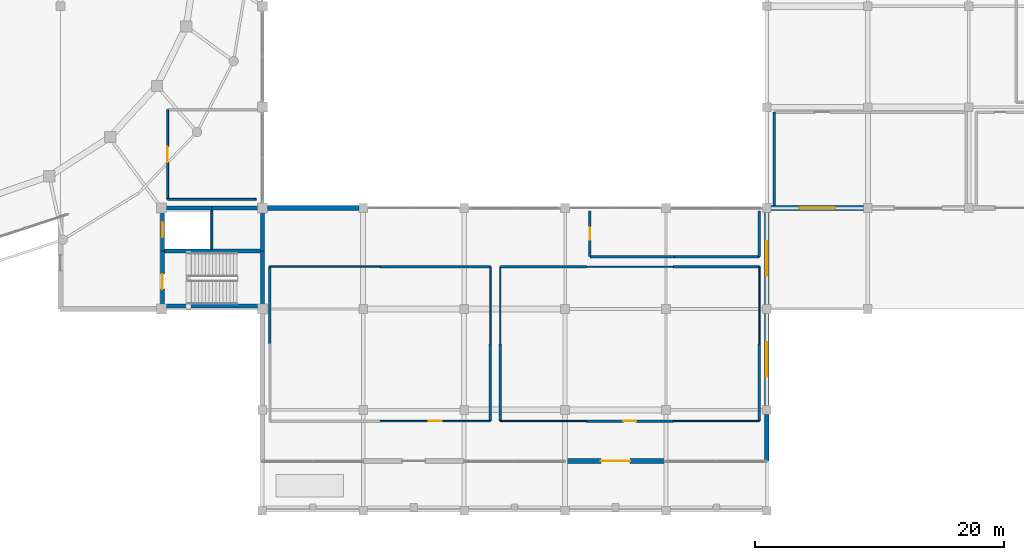
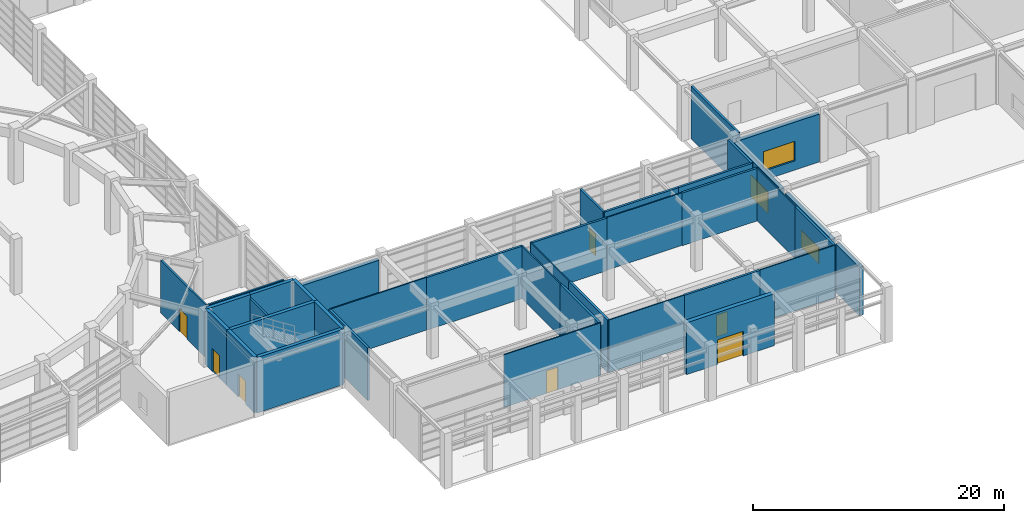
# One storey, part 36 of 52: 38 walls, 7 doors, 3 windows, 10 openings.
"""IFC4 building model written with IfcOpenShell, lengths in metres."""

from ifc_helpers import new_model, si_unit, direction, frame, frame_2d, origin, place, context, subcontext, project, spatial, rectangle, extrude, material, layer, layer_set, type_object, element, fill, save


model = new_model("IFC4")

# Units and contexts
model_context = context("Model", 3, precision=1e-05, world=origin(), true_north=direction((0.0, 1.0)))
body_context = subcontext(model_context, "Body", "Model", "MODEL_VIEW")
ifc_project = project(units=[si_unit("LENGTHUNIT", "METRE"), si_unit("AREAUNIT", "SQUARE_METRE"), si_unit("VOLUMEUNIT", "CUBIC_METRE"), si_unit("PLANEANGLEUNIT", "RADIAN"), si_unit("MASSUNIT", "GRAM", prefix="KILO")], contexts=[model_context])

# Site, building, storey
site_placement = place(None, origin())
site = spatial("IfcSite", under=ifc_project, at=site_placement, CompositionType="ELEMENT")
building_placement = place(site_placement, origin())
building = spatial("IfcBuilding", under=site, at=building_placement, Name="Parian Resonance Hall", CompositionType="ELEMENT")
storey_placement = place(building_placement, origin())
storey = spatial("IfcBuildingStorey", under=building, at=storey_placement, Name="L00", CompositionType="ELEMENT", Elevation=0.0)

# Wall, opening, door
ifc_material_1 = material(Name="Concrete C40/50", Category="concrete")
ifc_layer_1 = layer(ifc_material_1, 0.31005859375)
ifc_layer_set_1 = layer_set([ifc_layer_1], Name="Concrete C40/50")
wall_type_1 = type_object("IfcWallType", Name="CW310", PredefinedType="SHEAR", material=ifc_layer_set_1)
wall_1_placement = place(storey_placement, frame((64.889892578125, 16.449951171875, 0.0), z_axis=(0.0, 0.0, 1.0), x_axis=(0.0, 1.0, 0.0)))
wall_1 = element("IfcWall", 1, at=wall_1_placement, inside=storey, type_object=wall_type_1, Name="Core K3 stairwell west shear wall L00", PredefinedType="SHEAR", context=body_context, shape_type="SweptSolid", body=[
    extrude(rectangle(XDim=4.400146484375, YDim=0.31005859375, at=frame_2d((2.2001953125, 0.0))), origin(), (0.0, 0.0, 1.0), 5.39990234375),
])
opening_1_placement = place(wall_1_placement, frame((1.35009765625, 0.0, 0.0)))
opening_1 = element("IfcOpeningElement", 2, at=opening_1_placement, cuts=wall_1, Name="Opening FD-01", PredefinedType="OPENING", context=body_context, shape_type="SweptSolid", body=[
    extrude(rectangle(XDim=1.199951171875, YDim=2.25, at=frame_2d((0.60009765625, 1.125))), frame((0.0, 0.1650390625, 0.0), z_axis=(0.0, -1.0, 0.0), x_axis=(1.0, 0.0, 0.0)), (0.0, 0.0, 1.0), 0.330078125),
])
ifc_material_2 = material(Name="Fire-rated acoustic steel and narra timber door", Category="steel")
door_type_1 = type_object("IfcDoorType", Name="FD-01", OperationType="NOTDEFINED", PredefinedType="DOOR", material=ifc_material_2)
door_1_placement = place(opening_1_placement, origin())
door_1 = element("IfcDoor", 3, at=door_1_placement, inside=storey, type_object=door_type_1, Name="Exit stair ST-03 fire door L00", OperationType="SINGLE_SWING_RIGHT", OverallHeight=2.25, OverallWidth=1.199951171875, PredefinedType="DOOR", context=body_context, shape_type="SweptSolid", body=[
    extrude(rectangle(XDim=1.199951171875, YDim=2.25, at=frame_2d((0.60009765625, 1.125))), frame((0.0, 0.02490234375, 0.0), z_axis=(0.0, -1.0, 0.0), x_axis=(1.0, 0.0, 0.0)), (0.0, 0.0, 1.0), 0.050048828125),
])
fill(opening_1, door_1)

wall_2_placement = place(storey_placement, frame((64.889892578125, 20.85009765625, 0.0), z_axis=(0.0, 0.0, 1.0), x_axis=(0.0, 1.0, 0.0)))
wall_2 = element("IfcWall", 4, at=wall_2_placement, inside=storey, type_object=wall_type_1, Name="Core K3 lift shaft west shear wall L00", PredefinedType="SHEAR", context=body_context, shape_type="SweptSolid", body=[
    extrude(rectangle(XDim=3.449951171875, YDim=0.31005859375, at=frame_2d((1.72509765625, 0.0))), origin(), (0.0, 0.0, 1.0), 5.39990234375),
])
opening_2_placement = place(wall_2_placement, frame((1.125, 0.0, 0.0)))
opening_2 = element("IfcOpeningElement", 5, at=opening_2_placement, cuts=wall_2, Name="Opening LD-01", PredefinedType="OPENING", context=body_context, shape_type="SweptSolid", body=[
    extrude(rectangle(XDim=1.199951171875, YDim=2.199951171875, at=frame_2d((0.60009765625, 1.10009765625))), frame((0.0, 0.1650390625, 0.0), z_axis=(0.0, -1.0, 0.0), x_axis=(1.0, 0.0, 0.0)), (0.0, 0.0, 1.0), 0.330078125),
])
ifc_material_3 = material(Name="Stainless steel and bronze elevator cab", Category="steel")
door_type_2 = type_object("IfcDoorType", Name="DOOR-LIFT-1200x2200", OperationType="SLIDING_TO_LEFT", PredefinedType="DOOR", material=ifc_material_3)
door_2_placement = place(opening_2_placement, origin())
door_2 = element("IfcDoor", 6, at=door_2_placement, inside=storey, type_object=door_type_2, Name="Lift LF-04 sliding landing door L00", OperationType="SLIDING_TO_LEFT", OverallHeight=2.199951171875, OverallWidth=1.199951171875, PredefinedType="DOOR", context=body_context, shape_type="SweptSolid", body=[
    extrude(rectangle(XDim=1.199951171875, YDim=2.199951171875, at=frame_2d((0.60009765625, 1.10009765625))), frame((0.0, 0.02490234375, 0.0), z_axis=(0.0, -1.0, 0.0), x_axis=(1.0, 0.0, 0.0)), (0.0, 0.0, 1.0), 0.050048828125),
])
fill(opening_2, door_2)

# Walls
wall_3_placement = place(storey_placement, frame((64.889892578125, 24.300048828125, 0.0), z_axis=(0.0, 0.0, 1.0), x_axis=(1.0, 0.0, 0.0)))
element("IfcWall", 7, at=wall_3_placement, inside=storey, type_object=wall_type_1, Name="Core K3 north-west shaft wall L00", PredefinedType="SHEAR", context=body_context, shape_type="SweptSolid", body=[
    extrude(rectangle(XDim=3.960205078125, YDim=0.31005859375, at=frame_2d((1.97998046875, 0.0))), origin(), (0.0, 0.0, 1.0), 5.39990234375),
])
wall_4_placement = place(storey_placement, frame((68.85009765625, 24.300048828125, 0.0), z_axis=(0.0, 0.0, 1.0), x_axis=(1.0, 0.0, 0.0)))
element("IfcWall", 8, at=wall_4_placement, inside=storey, type_object=wall_type_1, Name="Core K3 north-east shaft wall L00", PredefinedType="SHEAR", context=body_context, shape_type="SweptSolid", body=[
    extrude(rectangle(XDim=4.059814453125, YDim=0.31005859375, at=frame_2d((2.02978515625, 0.0))), origin(), (0.0, 0.0, 1.0), 5.39990234375),
])
wall_5_placement = place(storey_placement, frame((72.909912109375, 24.300048828125, 0.0), z_axis=(0.0, 0.0, 1.0), x_axis=(0.0, -1.0, 0.0)))
element("IfcWall", 9, at=wall_5_placement, inside=storey, type_object=wall_type_1, Name="Core K3 east shaft wall L00", PredefinedType="SHEAR", context=body_context, shape_type="SweptSolid", body=[
    extrude(rectangle(XDim=3.449951171875, YDim=0.31005859375, at=frame_2d((1.72509765625, 0.0))), origin(), (0.0, 0.0, 1.0), 5.39990234375),
])
wall_6_placement = place(storey_placement, frame((72.909912109375, 20.85009765625, 0.0), z_axis=(0.0, 0.0, 1.0), x_axis=(0.0, -1.0, 0.0)))
element("IfcWall", 10, at=wall_6_placement, inside=storey, type_object=wall_type_1, Name="Core K3 stairwell east wall L00", PredefinedType="SHEAR", context=body_context, shape_type="SweptSolid", body=[
    extrude(rectangle(XDim=4.400146484375, YDim=0.31005859375, at=frame_2d((2.2001953125, 0.0))), origin(), (0.0, 0.0, 1.0), 5.39990234375),
])
for number, where, z_axis, x_axis, name in (
    (11, (72.909912109375, 16.449951171875, 0.0), (0.0, 0.0, 1.0), (-1.0, 0.0, 0.0), "Core K3 stairwell south wall L00"),
    (12, (64.889892578125, 20.85009765625, 0.0), (0.0, 0.0, 1.0), (1.0, 0.0, 0.0), "Core K3 stair-lift divider wall L00"),
):
    element("IfcWall", number, at=place(storey_placement, frame(where, z_axis=z_axis, x_axis=x_axis)), inside=storey, type_object=wall_type_1, Name=name, PredefinedType="SHEAR", context=body_context, shape_type="SweptSolid", body=[
        extrude(rectangle(XDim=8.02001953125, YDim=0.31005859375, at=frame_2d((4.010009765625, 0.0))), origin(), (0.0, 0.0, 1.0), 5.39990234375),
    ])

# Wall, opening, door
ifc_material_4 = material(Name="Concrete C35/45 with Carcar coral-limestone ashlar", Category="masonry")
ifc_layer_2 = layer(ifc_material_4, 0.3798828125)
ifc_layer_set_2 = layer_set([ifc_layer_2], Name="Concrete C35/45 with Carcar coral-limestone ashlar")
wall_type_2 = type_object("IfcWallType", Name="EW-PLINTH-380", PredefinedType="SOLIDWALL", material=ifc_layer_set_2)
wall_7_placement = place(storey_placement, frame((105.300048828125, 4.0, 0.0), z_axis=(0.0, 0.0, 1.0), x_axis=(-1.0, 0.0, 0.0)))
wall_7 = element("IfcWall", 13, at=wall_7_placement, inside=storey, type_object=wall_type_2, Name="Exterior wall EW-L00-0135", PredefinedType="SOLIDWALL", context=body_context, shape_type="SweptSolid", body=[
    extrude(rectangle(XDim=8.10009765625, YDim=0.3798828125, at=frame_2d((4.050048828125, 0.0))), origin(), (0.0, 0.0, 1.0), 5.050048828125),
])
opening_3_placement = place(wall_7_placement, frame((2.8701171875, 0.0, 0.0)))
opening_3 = element("IfcOpeningElement", 14, at=opening_3_placement, cuts=wall_7, Name="Opening EX-01", PredefinedType="OPENING", context=body_context, shape_type="SweptSolid", body=[
    extrude(rectangle(XDim=2.360107421875, YDim=2.39990234375, at=frame_2d((1.18017578125, 1.199951171875))), frame((0.0, 0.199951171875, 0.0), z_axis=(0.0, -1.0, 0.0), x_axis=(1.0, 0.0, 0.0)), (0.0, 0.0, 1.0), 0.39990234375),
])
ifc_material_5 = material(Name="Marine-grade bronze and acoustic glazed door")
door_type_3 = type_object("IfcDoorType", Name="ED-EXIT-2000x2400", OperationType="NOTDEFINED", PredefinedType="DOOR", material=ifc_material_5)
door_3_placement = place(opening_3_placement, origin())
door_3 = element("IfcDoor", 15, at=door_3_placement, inside=storey, type_object=door_type_3, Name="South boulevard exit door EX-V3-12", OperationType="DOUBLE_DOOR_SINGLE_SWING", OverallHeight=2.39990234375, OverallWidth=2.360107421875, PredefinedType="DOOR", context=body_context, shape_type="SweptSolid", body=[
    extrude(rectangle(XDim=2.360107421875, YDim=2.39990234375, at=frame_2d((1.18017578125, 1.199951171875))), frame((0.0, 0.02490234375, 0.0), z_axis=(0.0, -1.0, 0.0), x_axis=(1.0, 0.0, 0.0)), (0.0, 0.0, 1.0), 0.050048828125),
])
fill(opening_3, door_3)

# Walls
wall_8_placement = place(storey_placement, frame((73.300048828125, 24.300048828125, 0.0), z_axis=(0.0, 0.0, 1.0), x_axis=(1.0, 0.0, 0.0)))
element("IfcWall", 16, at=wall_8_placement, inside=storey, type_object=wall_type_2, Name="Exterior wall EW-L00-0150", PredefinedType="SOLIDWALL", context=body_context, shape_type="SweptSolid", body=[
    extrude(rectangle(XDim=7.349853515625, YDim=0.3798828125, at=frame_2d((3.6748046875, 0.0))), origin(), (0.0, 0.0, 1.0), 4.625),
])
wall_9_placement = place(storey_placement, frame((113.39990234375, 4.0, 0.0), z_axis=(0.0, 0.0, 1.0), x_axis=(0.0, 1.0, 0.0)))
element("IfcWall", 17, at=wall_9_placement, inside=storey, type_object=wall_type_2, Name="Perimeter closure wall L00", PredefinedType="SOLIDWALL", context=body_context, shape_type="SweptSolid", body=[
    extrude(rectangle(XDim=3.75, YDim=0.3798828125, at=frame_2d((1.875, 0.0))), origin(), (0.0, 0.0, 1.0), 4.737060546875),
])

# Wall, opening, window
wall_10_placement = place(storey_placement, frame((113.39990234375, 8.449951171875, 0.0), z_axis=(0.0, 0.0, 1.0), x_axis=(0.0, 1.0, 0.0)))
wall_10 = element("IfcWall", 18, at=wall_10_placement, inside=storey, type_object=wall_type_2, Name="Perimeter closure wall L00", PredefinedType="SOLIDWALL", context=body_context, shape_type="SweptSolid", body=[
    extrude(rectangle(XDim=7.400146484375, YDim=0.3798828125, at=frame_2d((3.7001953125, 0.0))), origin(), (0.0, 0.0, 1.0), 4.737060546875),
])
opening_4_placement = place(wall_10_placement, frame((2.300048828125, 0.0, 0.89990234375)))
opening_4 = element("IfcOpeningElement", 19, at=opening_4_placement, cuts=wall_10, Name="Opening WN-46", PredefinedType="OPENING", context=body_context, shape_type="SweptSolid", body=[
    extrude(rectangle(XDim=2.800048828125, YDim=1.60009765625, at=frame_2d((1.39990234375, 0.800048828125))), frame((0.0, 0.199951171875, 0.0), z_axis=(0.0, -1.0, 0.0), x_axis=(1.0, 0.0, 0.0)), (0.0, 0.0, 1.0), 0.39990234375),
])
ifc_material_6 = material(Name="Acoustic laminated double glazing", Category="glass")
window_type_1 = type_object("IfcWindowType", Name="WIN-2800x1600", PartitioningType="SINGLE_PANEL", PredefinedType="WINDOW", material=ifc_material_6)
window_1_placement = place(opening_4_placement, origin())
window_1 = element("IfcWindow", 20, at=window_1_placement, inside=storey, type_object=window_type_1, Name="Acoustic window L00-0039", OverallHeight=1.60009765625, OverallWidth=2.800048828125, PartitioningType="SINGLE_PANEL", PredefinedType="WINDOW", context=body_context, shape_type="SweptSolid", body=[
    extrude(rectangle(XDim=2.800048828125, YDim=1.60009765625, at=frame_2d((1.39990234375, 0.800048828125))), frame((0.0, 0.030029296875, 0.0), z_axis=(0.0, -1.0, 0.0), x_axis=(1.0, 0.0, 0.0)), (0.0, 0.0, 1.0), 0.06005859375),
])
fill(opening_4, window_1)

wall_11_placement = place(storey_placement, frame((113.39990234375, 16.550048828125, 0.0), z_axis=(0.0, 0.0, 1.0), x_axis=(0.0, 1.0, 0.0)))
wall_11 = element("IfcWall", 21, at=wall_11_placement, inside=storey, type_object=wall_type_2, Name="Perimeter closure wall L00", PredefinedType="SOLIDWALL", context=body_context, shape_type="SweptSolid", body=[
    extrude(rectangle(XDim=7.39990234375, YDim=0.3798828125, at=frame_2d((3.699951171875, 0.0))), origin(), (0.0, 0.0, 1.0), 4.737060546875),
])
opening_5_placement = place(wall_11_placement, frame((2.300048828125, 0.0, 0.89990234375)))
opening_5 = element("IfcOpeningElement", 22, at=opening_5_placement, cuts=wall_11, Name="Opening WN-47", PredefinedType="OPENING", context=body_context, shape_type="SweptSolid", body=[
    extrude(rectangle(XDim=2.800048828125, YDim=2.10009765625, at=frame_2d((1.39990234375, 1.050048828125))), frame((0.0, 0.199951171875, 0.0), z_axis=(0.0, -1.0, 0.0), x_axis=(1.0, 0.0, 0.0)), (0.0, 0.0, 1.0), 0.39990234375),
])
ifc_material_7 = material(Name="Acoustic laminated double glazing", Category="glass")
window_type_2 = type_object("IfcWindowType", Name="WIN-2800x2100", PartitioningType="SINGLE_PANEL", PredefinedType="WINDOW", material=ifc_material_7)
window_2_placement = place(opening_5_placement, origin())
window_2 = element("IfcWindow", 23, at=window_2_placement, inside=storey, type_object=window_type_2, Name="Acoustic window L00-0040", OverallHeight=2.10009765625, OverallWidth=2.800048828125, PartitioningType="SINGLE_PANEL", PredefinedType="WINDOW", context=body_context, shape_type="SweptSolid", body=[
    extrude(rectangle(XDim=2.800048828125, YDim=2.10009765625, at=frame_2d((1.39990234375, 1.050048828125))), frame((0.0, 0.030029296875, 0.0), z_axis=(0.0, -1.0, 0.0), x_axis=(1.0, 0.0, 0.0)), (0.0, 0.0, 1.0), 0.06005859375),
])
fill(opening_5, window_2)

wall_12_placement = place(storey_placement, frame((113.75, 24.300048828125, 0.0), z_axis=(0.0, 0.0, 1.0), x_axis=(1.0, 0.0, 0.0)))
wall_12 = element("IfcWall", 24, at=wall_12_placement, inside=storey, type_object=wall_type_2, Name="Perimeter closure wall L00", PredefinedType="SOLIDWALL", context=body_context, shape_type="SweptSolid", body=[
    extrude(rectangle(XDim=7.39990234375, YDim=0.3798828125, at=frame_2d((3.699951171875, 0.0))), origin(), (0.0, 0.0, 1.0), 4.6640625),
])
opening_6_placement = place(wall_12_placement, frame((2.25, 0.0, 0.89990234375)))
opening_6 = element("IfcOpeningElement", 25, at=opening_6_placement, cuts=wall_12, Name="Opening WN-48", PredefinedType="OPENING", context=body_context, shape_type="SweptSolid", body=[
    extrude(rectangle(XDim=2.89990234375, YDim=1.89990234375, at=frame_2d((1.449951171875, 0.949951171875))), frame((0.0, 0.199951171875, 0.0), z_axis=(0.0, -1.0, 0.0), x_axis=(1.0, 0.0, 0.0)), (0.0, 0.0, 1.0), 0.39990234375),
])
ifc_material_8 = material(Name="Acoustic laminated double glazing", Category="glass")
window_type_3 = type_object("IfcWindowType", Name="WIN-2900x1900", PartitioningType="SINGLE_PANEL", PredefinedType="WINDOW", material=ifc_material_8)
window_3_placement = place(opening_6_placement, origin())
window_3 = element("IfcWindow", 26, at=window_3_placement, inside=storey, type_object=window_type_3, Name="Acoustic window L00-0041", OverallHeight=1.89990234375, OverallWidth=2.89990234375, PartitioningType="SINGLE_PANEL", PredefinedType="WINDOW", context=body_context, shape_type="SweptSolid", body=[
    extrude(rectangle(XDim=2.89990234375, YDim=1.89990234375, at=frame_2d((1.449951171875, 0.949951171875))), frame((0.0, 0.030029296875, 0.0), z_axis=(0.0, -1.0, 0.0), x_axis=(1.0, 0.0, 0.0)), (0.0, 0.0, 1.0), 0.06005859375),
])
fill(opening_6, window_3)

# Walls
ifc_material_9 = material(Name="Concrete C35/45 fire barrier", Category="concrete")
ifc_layer_3 = layer(ifc_material_9, 0.199951171875)
ifc_layer_set_3 = layer_set([ifc_layer_3], Name="Concrete C35/45 fire barrier")
wall_type_3 = type_object("IfcWallType", Name="FW200", PredefinedType="PARTITIONING", material=ifc_layer_set_3)
wall_13_placement = place(storey_placement, frame((91.199951171875, 13.39990234375, 0.0), z_axis=(0.0, 0.0, 1.0), x_axis=(0.0, -1.0, 0.0)))
element("IfcWall", 27, at=wall_13_placement, inside=storey, type_object=wall_type_3, Name="Interior acoustic partition IW-L00-0052", PredefinedType="PARTITIONING", context=body_context, shape_type="SweptSolid", body=[
    extrude(rectangle(XDim=6.199951171875, YDim=0.199951171875, at=frame_2d((3.10009765625, 0.0))), origin(), (0.0, 0.0, 1.0), 5.1201171875),
])
wall_14_placement = place(storey_placement, frame((73.5, 13.39990234375, 0.0), z_axis=(0.0, 0.0, 1.0), x_axis=(0.0, 1.0, 0.0)))
element("IfcWall", 28, at=wall_14_placement, inside=storey, type_object=wall_type_3, Name="Interior acoustic partition IW-L00-0056", PredefinedType="PARTITIONING", context=body_context, shape_type="SweptSolid", body=[
    extrude(rectangle(XDim=6.2001953125, YDim=0.199951171875, at=frame_2d((3.10009765625, 0.0))), origin(), (0.0, 0.0, 1.0), 5.1201171875),
])
wall_15_placement = place(storey_placement, frame((82.35009765625, 19.60009765625, 0.0), z_axis=(0.0, 0.0, 1.0), x_axis=(1.0, 0.0, 0.0)))
element("IfcWall", 29, at=wall_15_placement, inside=storey, type_object=wall_type_3, Name="Interior acoustic partition IW-L00-0058", PredefinedType="PARTITIONING", context=body_context, shape_type="SweptSolid", body=[
    extrude(rectangle(XDim=8.849853515625, YDim=0.199951171875, at=frame_2d((4.4248046875, 0.0))), origin(), (0.0, 0.0, 1.0), 5.1201171875),
])
wall_16_placement = place(storey_placement, frame((112.800048828125, 13.39990234375, 0.0), z_axis=(0.0, 0.0, 1.0), x_axis=(0.0, -1.0, 0.0)))
element("IfcWall", 30, at=wall_16_placement, inside=storey, type_object=wall_type_3, Name="Interior acoustic partition IW-L00-0060", PredefinedType="PARTITIONING", context=body_context, shape_type="SweptSolid", body=[
    extrude(rectangle(XDim=6.199951171875, YDim=0.199951171875, at=frame_2d((3.10009765625, 0.0))), origin(), (0.0, 0.0, 1.0), 5.1201171875),
])

# Wall, opening, door
wall_17_placement = place(storey_placement, frame((105.86669921875, 7.199951171875, 0.0), z_axis=(0.0, 0.0, 1.0), x_axis=(-1.0, 0.0, 0.0)))
wall_17 = element("IfcWall", 31, at=wall_17_placement, inside=storey, type_object=wall_type_3, Name="Interior acoustic partition IW-L00-0062", PredefinedType="PARTITIONING", context=body_context, shape_type="SweptSolid", body=[
    extrude(rectangle(XDim=6.933349609375, YDim=0.199951171875, at=frame_2d((3.466796875, 0.0))), origin(), (0.0, 0.0, 1.0), 5.1201171875),
])
opening_7_placement = place(wall_17_placement, frame((2.956787109375, 0.0, 0.0)))
opening_7 = element("IfcOpeningElement", 32, at=opening_7_placement, cuts=wall_17, Name="Opening ID-15", PredefinedType="OPENING", context=body_context, shape_type="SweptSolid", body=[
    extrude(rectangle(XDim=1.02001953125, YDim=2.1201171875, at=frame_2d((0.510009765625, 1.06005859375))), frame((0.0, 0.10986328125, 0.0), z_axis=(0.0, -1.0, 0.0), x_axis=(1.0, 0.0, 0.0)), (0.0, 0.0, 1.0), 0.219970703125),
])
ifc_material_10 = material(Name="Philippine narra acoustic timber door", Category="wood")
door_type_4 = type_object("IfcDoorType", Name="ID-DRS-1020x2120", OperationType="NOTDEFINED", PredefinedType="DOOR", material=ifc_material_10)
door_4_placement = place(opening_7_placement, origin())
door_4 = element("IfcDoor", 33, at=door_4_placement, inside=storey, type_object=door_type_4, Name="Cafe Restaurant door", OperationType="SINGLE_SWING_RIGHT", OverallHeight=2.1201171875, OverallWidth=1.02001953125, PredefinedType="DOOR", context=body_context, shape_type="SweptSolid", body=[
    extrude(rectangle(XDim=1.02001953125, YDim=2.1201171875, at=frame_2d((0.510009765625, 1.06005859375))), frame((0.0, 0.02490234375, 0.0), z_axis=(0.0, -1.0, 0.0), x_axis=(1.0, 0.0, 0.0)), (0.0, 0.0, 1.0), 0.050048828125),
])
fill(opening_7, door_4)

# Walls
wall_18_placement = place(storey_placement, frame((92.0, 7.199951171875, 0.0), z_axis=(0.0, 0.0, 1.0), x_axis=(0.0, 1.0, 0.0)))
element("IfcWall", 34, at=wall_18_placement, inside=storey, type_object=wall_type_3, Name="Interior acoustic partition IW-L00-0064", PredefinedType="PARTITIONING", context=body_context, shape_type="SweptSolid", body=[
    extrude(rectangle(XDim=6.199951171875, YDim=0.199951171875, at=frame_2d((3.10009765625, 0.0))), origin(), (0.0, 0.0, 1.0), 5.1201171875),
])
for number, where, z_axis, x_axis, name in (
    (35, (92.0, 19.60009765625, 0.0), (0.0, 0.0, 1.0), (1.0, 0.0, 0.0), "Interior acoustic partition IW-L00-0066"),
    (36, (105.86669921875, 19.60009765625, 0.0), (0.0, 0.0, 1.0), (1.0, 0.0, 0.0), "Interior acoustic partition IW-L00-0068"),
):
    element("IfcWall", number, at=place(storey_placement, frame(where, z_axis=z_axis, x_axis=x_axis)), inside=storey, type_object=wall_type_3, Name=name, PredefinedType="PARTITIONING", context=body_context, shape_type="SweptSolid", body=[
        extrude(rectangle(XDim=6.933349609375, YDim=0.199951171875, at=frame_2d((3.466796875, 0.0))), origin(), (0.0, 0.0, 1.0), 5.1201171875),
    ])

# Wall, opening, door
wall_19_placement = place(storey_placement, frame((99.199951171875, 20.39990234375, 0.0), z_axis=(0.0, 0.0, 1.0), x_axis=(0.0, 1.0, 0.0)))
wall_19 = element("IfcWall", 37, at=wall_19_placement, inside=storey, type_object=wall_type_3, Name="Interior acoustic partition IW-L00-0069", PredefinedType="PARTITIONING", context=body_context, shape_type="SweptSolid", body=[
    extrude(rectangle(XDim=3.68017578125, YDim=0.199951171875, at=frame_2d((1.840087890625, 0.0))), origin(), (0.0, 0.0, 1.0), 5.1201171875),
])
opening_8_placement = place(wall_19_placement, frame((1.35009765625, 0.0, 0.0)))
opening_8 = element("IfcOpeningElement", 38, at=opening_8_placement, cuts=wall_19, Name="Opening ID-16", PredefinedType="OPENING", context=body_context, shape_type="SweptSolid", body=[
    extrude(rectangle(XDim=0.97998046875, YDim=2.10009765625, at=frame_2d((0.489990234375, 1.050048828125))), frame((0.0, 0.10986328125, 0.0), z_axis=(0.0, -1.0, 0.0), x_axis=(1.0, 0.0, 0.0)), (0.0, 0.0, 1.0), 0.219970703125),
])
ifc_material_11 = material(Name="Philippine narra acoustic timber door", Category="wood")
door_type_5 = type_object("IfcDoorType", Name="ID-DRS-0980x2100", OperationType="NOTDEFINED", PredefinedType="DOOR", material=ifc_material_11)
door_5_placement = place(opening_8_placement, origin())
door_5 = element("IfcDoor", 39, at=door_5_placement, inside=storey, type_object=door_type_5, Name="Cafe Kitchen and Pantry door", OperationType="SINGLE_SWING_LEFT", OverallHeight=2.10009765625, OverallWidth=0.97998046875, PredefinedType="DOOR", context=body_context, shape_type="SweptSolid", body=[
    extrude(rectangle(XDim=0.97998046875, YDim=2.10009765625, at=frame_2d((0.489990234375, 1.050048828125))), frame((0.0, 0.02490234375, 0.0), z_axis=(0.0, -1.0, 0.0), x_axis=(1.0, 0.0, 0.0)), (0.0, 0.0, 1.0), 0.050048828125),
])
fill(opening_8, door_5)

# Walls
wall_20_placement = place(storey_placement, frame((112.800048828125, 24.080078125, 0.0), z_axis=(0.0, 0.0, 1.0), x_axis=(0.0, -1.0, 0.0)))
element("IfcWall", 40, at=wall_20_placement, inside=storey, type_object=wall_type_3, Name="Interior acoustic partition IW-L00-0070", PredefinedType="PARTITIONING", context=body_context, shape_type="SweptSolid", body=[
    extrude(rectangle(XDim=3.68017578125, YDim=0.199951171875, at=frame_2d((1.840087890625, 0.0))), origin(), (0.0, 0.0, 1.0), 5.1201171875),
])
for number, where, z_axis, x_axis, name in (
    (41, (112.800048828125, 20.39990234375, 0.0), (0.0, 0.0, 1.0), (-1.0, 0.0, 0.0), "Interior acoustic partition IW-L00-0071"),
    (42, (106.0, 20.39990234375, 0.0), (0.0, 0.0, 1.0), (-1.0, 0.0, 0.0), "Interior acoustic partition IW-L00-0072"),
):
    element("IfcWall", number, at=place(storey_placement, frame(where, z_axis=z_axis, x_axis=x_axis)), inside=storey, type_object=wall_type_3, Name=name, PredefinedType="PARTITIONING", context=body_context, shape_type="SweptSolid", body=[
        extrude(rectangle(XDim=6.800048828125, YDim=0.199951171875, at=frame_2d((3.39990234375, 0.0))), origin(), (0.0, 0.0, 1.0), 5.1201171875),
    ])
wall_21_placement = place(storey_placement, frame((114.0, 24.52001953125, 0.0), z_axis=(0.0, 0.0, 1.0), x_axis=(0.0, 1.0, 0.0)))
element("IfcWall", 43, at=wall_21_placement, inside=storey, type_object=wall_type_3, Name="Interior acoustic partition IW-L00-0089", PredefinedType="PARTITIONING", context=body_context, shape_type="SweptSolid", body=[
    extrude(rectangle(XDim=7.47998046875, YDim=0.199951171875, at=frame_2d((3.739990234375, 0.0))), origin(), (0.0, 0.0, 1.0), 5.1201171875),
])
ifc_material_12 = material(Name="Concrete C35/45 acoustic masonry partition", Category="masonry")
ifc_layer_4 = layer(ifc_material_12, 0.10009765625)
ifc_layer_set_4 = layer_set([ifc_layer_4], Name="Concrete C35/45 acoustic masonry partition")
wall_type_4 = type_object("IfcWallType", Name="PW100", PredefinedType="PARTITIONING", material=ifc_layer_set_4)
wall_22_placement = place(storey_placement, frame((112.800048828125, 19.60009765625, 0.0), z_axis=(0.0, 0.0, 1.0), x_axis=(0.0, -1.0, 0.0)))
element("IfcWall", 44, at=wall_22_placement, inside=storey, type_object=wall_type_4, Name="Interior acoustic partition IW-L00-0059", PredefinedType="PARTITIONING", context=body_context, shape_type="SweptSolid", body=[
    extrude(rectangle(XDim=6.2001953125, YDim=0.10009765625, at=frame_2d((3.10009765625, 0.0))), origin(), (0.0, 0.0, 1.0), 5.1201171875),
])
for number, where, z_axis, x_axis, name in (
    (45, (112.800048828125, 7.199951171875, 0.0), (0.0, 0.0, 1.0), (-1.0, 0.0, 0.0), "Interior acoustic partition IW-L00-0061"),
    (46, (98.933349609375, 7.199951171875, 0.0), (0.0, 0.0, 1.0), (-1.0, 0.0, 0.0), "Interior acoustic partition IW-L00-0063"),
):
    element("IfcWall", number, at=place(storey_placement, frame(where, z_axis=z_axis, x_axis=x_axis)), inside=storey, type_object=wall_type_4, Name=name, PredefinedType="PARTITIONING", context=body_context, shape_type="SweptSolid", body=[
        extrude(rectangle(XDim=6.933349609375, YDim=0.10009765625, at=frame_2d((3.466796875, 0.0))), origin(), (0.0, 0.0, 1.0), 5.1201171875),
    ])
wall_23_placement = place(storey_placement, frame((92.0, 13.39990234375, 0.0), z_axis=(0.0, 0.0, 1.0), x_axis=(0.0, 1.0, 0.0)))
element("IfcWall", 47, at=wall_23_placement, inside=storey, type_object=wall_type_4, Name="Interior acoustic partition IW-L00-0065", PredefinedType="PARTITIONING", context=body_context, shape_type="SweptSolid", body=[
    extrude(rectangle(XDim=6.2001953125, YDim=0.10009765625, at=frame_2d((3.10009765625, 0.0))), origin(), (0.0, 0.0, 1.0), 5.1201171875),
])
wall_24_placement = place(storey_placement, frame((98.933349609375, 19.60009765625, 0.0), z_axis=(0.0, 0.0, 1.0), x_axis=(1.0, 0.0, 0.0)))
element("IfcWall", 48, at=wall_24_placement, inside=storey, type_object=wall_type_4, Name="Interior acoustic partition IW-L00-0067", PredefinedType="PARTITIONING", context=body_context, shape_type="SweptSolid", body=[
    extrude(rectangle(XDim=6.933349609375, YDim=0.10009765625, at=frame_2d((3.466796875, 0.0))), origin(), (0.0, 0.0, 1.0), 5.1201171875),
])
ifc_material_13 = material(Name="Concrete C35/45 acoustic masonry partition", Category="masonry")
ifc_layer_5 = layer(ifc_material_13, 0.1201171875)
ifc_layer_set_5 = layer_set([ifc_layer_5], Name="Concrete C35/45 acoustic masonry partition")
wall_type_5 = type_object("IfcWallType", Name="PW120", PredefinedType="PARTITIONING", material=ifc_layer_set_5)
wall_25_placement = place(storey_placement, frame((91.199951171875, 19.60009765625, 0.0), z_axis=(0.0, 0.0, 1.0), x_axis=(0.0, -1.0, 0.0)))
element("IfcWall", 49, at=wall_25_placement, inside=storey, type_object=wall_type_5, Name="Interior acoustic partition IW-L00-0051", PredefinedType="PARTITIONING", context=body_context, shape_type="SweptSolid", body=[
    extrude(rectangle(XDim=6.2001953125, YDim=0.1201171875, at=frame_2d((3.10009765625, 0.0))), origin(), (0.0, 0.0, 1.0), 5.1201171875),
])

# Wall, opening, door
wall_26_placement = place(storey_placement, frame((91.199951171875, 7.199951171875, 0.0), z_axis=(0.0, 0.0, 1.0), x_axis=(-1.0, 0.0, 0.0)))
wall_26 = element("IfcWall", 50, at=wall_26_placement, inside=storey, type_object=wall_type_5, Name="Interior acoustic partition IW-L00-0053", PredefinedType="PARTITIONING", context=body_context, shape_type="SweptSolid", body=[
    extrude(rectangle(XDim=8.849853515625, YDim=0.1201171875, at=frame_2d((4.4248046875, 0.0))), origin(), (0.0, 0.0, 1.0), 5.1201171875),
])
opening_9_placement = place(wall_26_placement, frame((3.905029296875, 0.0, 0.0)))
opening_9 = element("IfcOpeningElement", 51, at=opening_9_placement, cuts=wall_26, Name="Opening ID-14", PredefinedType="OPENING", context=body_context, shape_type="SweptSolid", body=[
    extrude(rectangle(XDim=1.0400390625, YDim=2.199951171875, at=frame_2d((0.52001953125, 1.10009765625))), frame((0.0, 0.070068359375, 0.0), z_axis=(0.0, -1.0, 0.0), x_axis=(1.0, 0.0, 0.0)), (0.0, 0.0, 1.0), 0.14013671875),
])
ifc_material_14 = material(Name="Philippine narra acoustic timber door", Category="wood")
door_type_6 = type_object("IfcDoorType", Name="ID-STU-1040x2200", OperationType="NOTDEFINED", PredefinedType="DOOR", material=ifc_material_14)
door_6_placement = place(opening_9_placement, origin())
door_6 = element("IfcDoor", 52, at=door_6_placement, inside=storey, type_object=door_type_6, Name="Music Shop door", OperationType="SINGLE_SWING_LEFT", OverallHeight=2.199951171875, OverallWidth=1.0400390625, PredefinedType="DOOR", context=body_context, shape_type="SweptSolid", body=[
    extrude(rectangle(XDim=1.0400390625, YDim=2.199951171875, at=frame_2d((0.52001953125, 1.10009765625))), frame((0.0, 0.02490234375, 0.0), z_axis=(0.0, -1.0, 0.0), x_axis=(1.0, 0.0, 0.0)), (0.0, 0.0, 1.0), 0.050048828125),
])
fill(opening_9, door_6)

# Walls
wall_27_placement = place(storey_placement, frame((73.5, 19.60009765625, 0.0), z_axis=(0.0, 0.0, 1.0), x_axis=(1.0, 0.0, 0.0)))
element("IfcWall", 53, at=wall_27_placement, inside=storey, type_object=wall_type_5, Name="Interior acoustic partition IW-L00-0057", PredefinedType="PARTITIONING", context=body_context, shape_type="SweptSolid", body=[
    extrude(rectangle(XDim=8.85009765625, YDim=0.1201171875, at=frame_2d((4.425048828125, 0.0))), origin(), (0.0, 0.0, 1.0), 5.1201171875),
])
ifc_material_15 = material(Name="Concrete C35/45 acoustic plumbing chase wall", Category="concrete")
ifc_layer_6 = layer(ifc_material_15, 0.14990234375)
ifc_layer_set_6 = layer_set([ifc_layer_6], Name="Concrete C35/45 acoustic plumbing chase wall")
wall_type_6 = type_object("IfcWallType", Name="PW150", PredefinedType="PLUMBINGWALL", material=ifc_layer_set_6)
wall_28_placement = place(storey_placement, frame((68.85009765625, 21.010009765625, 0.0), z_axis=(0.0, 0.0, 1.0), x_axis=(0.0, 1.0, 0.0)))
element("IfcWall", 54, at=wall_28_placement, inside=storey, type_object=wall_type_6, Name="Core K3 shaft plumbing/riser divider L00", PredefinedType="PLUMBINGWALL", context=body_context, shape_type="SweptSolid", body=[
    extrude(rectangle(XDim=3.1298828125, YDim=0.14990234375, at=frame_2d((1.56494140625, 0.0))), origin(), (0.0, 0.0, 1.0), 5.050048828125),
])
ifc_material_16 = material(Name="Concrete C35/45 acoustic masonry partition", Category="masonry")
ifc_layer_7 = layer(ifc_material_16, 0.159912109375)
ifc_layer_set_7 = layer_set([ifc_layer_7], Name="Concrete C35/45 acoustic masonry partition")
wall_type_7 = type_object("IfcWallType", Name="PW160", PredefinedType="PARTITIONING", material=ifc_layer_set_7)
wall_29_placement = place(storey_placement, frame((72.39990234375, 25.0, 0.0), z_axis=(0.0, 0.0, 1.0), x_axis=(-1.0, 0.0, 0.0)))
element("IfcWall", 55, at=wall_29_placement, inside=storey, type_object=wall_type_7, Name="Interior acoustic partition IW-L00-0042", PredefinedType="PARTITIONING", context=body_context, shape_type="SweptSolid", body=[
    extrude(rectangle(XDim=7.099853515625, YDim=0.159912109375, at=frame_2d((3.5498046875, 0.0))), origin(), (0.0, 0.0, 1.0), 5.1201171875),
])

# Wall, opening, door
wall_30_placement = place(storey_placement, frame((65.300048828125, 25.0, 0.0), z_axis=(0.0, 0.0, 1.0), x_axis=(0.0, 1.0, 0.0)))
wall_30 = element("IfcWall", 56, at=wall_30_placement, inside=storey, type_object=wall_type_7, Name="Interior acoustic partition IW-L00-0043", PredefinedType="PARTITIONING", context=body_context, shape_type="SweptSolid", body=[
    extrude(rectangle(XDim=7.199951171875, YDim=0.159912109375, at=frame_2d((3.60009765625, 0.0))), origin(), (0.0, 0.0, 1.0), 5.1201171875),
])
opening_10_placement = place(wall_30_placement, frame((2.97509765625, 0.0, 0.0)))
opening_10 = element("IfcOpeningElement", 57, at=opening_10_placement, cuts=wall_30, Name="Opening ID-10", PredefinedType="OPENING", context=body_context, shape_type="SweptSolid", body=[
    extrude(rectangle(XDim=1.25, YDim=2.25, at=frame_2d((0.625, 1.125))), frame((0.0, 0.08984375, 0.0), z_axis=(0.0, -1.0, 0.0), x_axis=(1.0, 0.0, 0.0)), (0.0, 0.0, 1.0), 0.179931640625),
])
ifc_material_17 = material(Name="Fire-rated acoustic steel and narra timber door", Category="steel")
door_type_7 = type_object("IfcDoorType", Name="ID-STU-1250x2250", OperationType="NOTDEFINED", PredefinedType="DOOR", material=ifc_material_17)
door_7_placement = place(opening_10_placement, origin())
door_7 = element("IfcDoor", 58, at=door_7_placement, inside=storey, type_object=door_type_7, Name="Fire Command Room door", OperationType="SINGLE_SWING_LEFT", OverallHeight=2.25, OverallWidth=1.25, PredefinedType="DOOR", context=body_context, shape_type="SweptSolid", body=[
    extrude(rectangle(XDim=1.25, YDim=2.25, at=frame_2d((0.625, 1.125))), frame((0.0, 0.02490234375, 0.0), z_axis=(0.0, -1.0, 0.0), x_axis=(1.0, 0.0, 0.0)), (0.0, 0.0, 1.0), 0.050048828125),
])
fill(opening_10, door_7)

save(model, "model.ifc")
